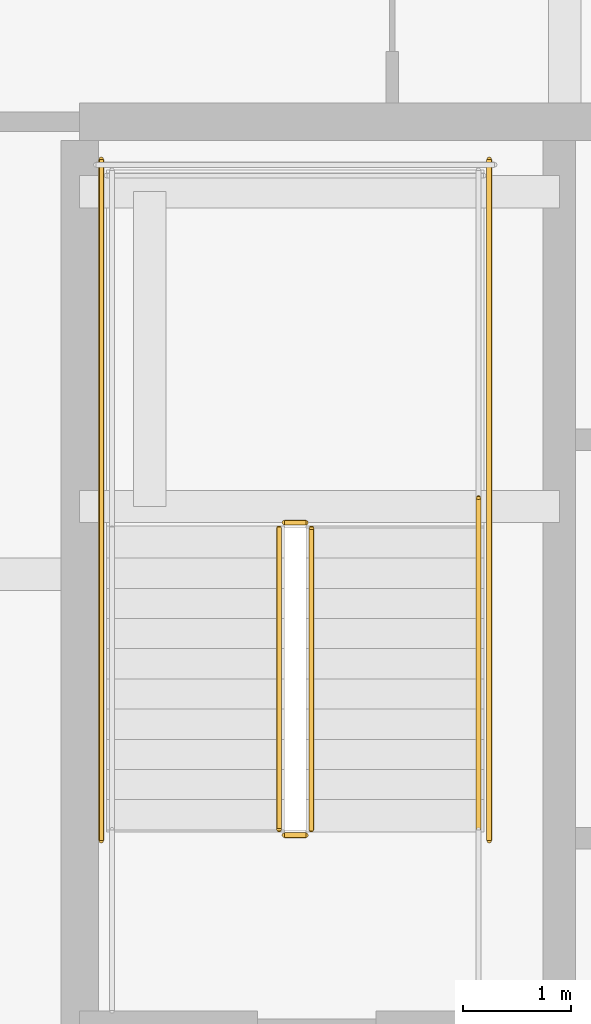
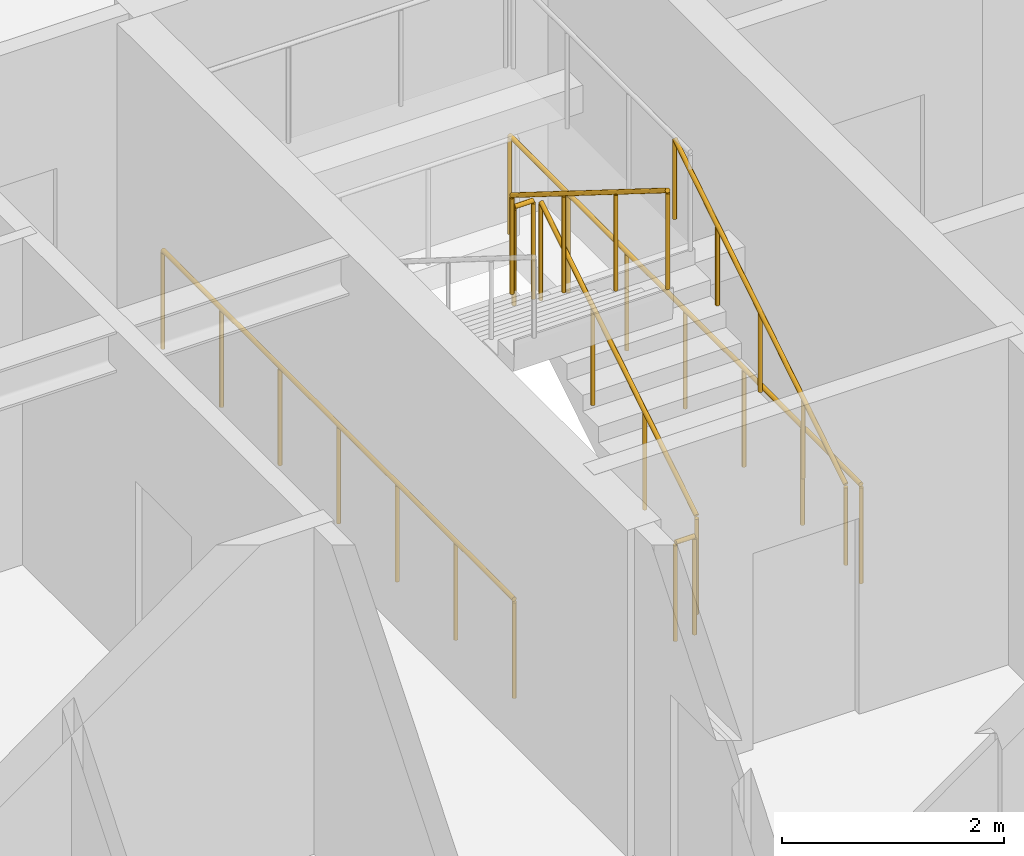
# One storey, part 35 of 38: 7 railings.
"""IFC4 building model written with IfcOpenShell, lengths in metres."""

from ifc_helpers import new_model, si_unit, direction, frame, origin, origin_2d, place, context, subcontext, project, spatial, circle, extrude, material, type_object, element, save


model = new_model("IFC4")

# Units and contexts
model_context = context("Model", 3, precision=1e-05, world=origin(), true_north=direction((0.0, 1.0)))
body_context = subcontext(model_context, "Body", "Model", "MODEL_VIEW")
ifc_project = project(units=[si_unit("LENGTHUNIT", "METRE"), si_unit("AREAUNIT", "SQUARE_METRE"), si_unit("VOLUMEUNIT", "CUBIC_METRE"), si_unit("PLANEANGLEUNIT", "RADIAN"), si_unit("MASSUNIT", "GRAM", prefix="KILO")], contexts=[model_context])

# Site, building, storey
site_placement = place(None, origin())
site = spatial("IfcSite", under=ifc_project, at=site_placement, CompositionType="ELEMENT")
building_placement = place(site_placement, origin())
building = spatial("IfcBuilding", under=site, at=building_placement, Name="Serunith Strait Residences", CompositionType="ELEMENT")
storey_placement = place(building_placement, frame((0.0, 0.0, 245.10009765625)))
storey = spatial("IfcBuildingStorey", under=building, at=storey_placement, Name="L61", CompositionType="ELEMENT", Elevation=245.10009765625)

# Railings
ifc_material = material(Name="Brushed stainless steel 316L", Category="steel")
railing_type_1 = type_object("IfcRailingType", Name="RLG-STAIR-GUARD", PredefinedType="BALUSTRADE", material=ifc_material)
railing_1_placement = place(storey_placement, frame((25.550048828125, 27.030029296875, 0.1748046875)))
element("IfcRailing", 1, at=railing_1_placement, inside=storey, type_object=railing_type_1, Name="L61 ST-1 stair guard 1", PredefinedType="BALUSTRADE", context=body_context, shape_type="SweptSolid", body=[
    extrude(circle(Radius=0.02392578125, at=origin_2d()), frame((0.0, 0.001708984375, 1.0771484375), z_axis=(0.0, 0.848002457836, 0.529992293815), x_axis=(-1.0, 0.0, 0.0)), (0.0, 0.0, 1.0), 3.2978515625),
    extrude(circle(Radius=0.02099609375, at=origin_2d()), origin(), (0.0, 0.0, 1.0), 1.050048828125),
    extrude(circle(Radius=0.02099609375, at=origin_2d()), frame((0.0, 0.933349609375, 0.583251953125)), (0.0, 0.0, 1.0), 1.050048828125),
    extrude(circle(Radius=0.02099609375, at=origin_2d()), frame((0.0, 1.86669921875, 1.166748046875)), (0.0, 0.0, 1.0), 1.050048828125),
    extrude(circle(Radius=0.02099609375, at=origin_2d()), frame((0.0, 2.800048828125, 1.75)), (0.0, 0.0, 1.0), 1.050048828125),
])
railing_2_placement = place(storey_placement, frame((25.5, 29.8798828125, 1.9248046875)))
element("IfcRailing", 2, at=railing_2_placement, inside=storey, type_object=railing_type_1, Name="L61 ST-1 stair guard 2", PredefinedType="BALUSTRADE", context=body_context, shape_type="SweptSolid", body=[
    extrude(circle(Radius=0.02392578125, at=origin_2d()), frame((-0.001953125, 0.0, 1.076171875), z_axis=(-1.0, 0.0, 0.0), x_axis=(0.0, -1.0, 0.0)), (0.0, 0.0, 1.0), 0.196044921875),
    extrude(circle(Radius=0.02099609375, at=origin_2d()), origin(), (0.0, 0.0, 1.0), 1.050048828125),
    extrude(circle(Radius=0.02099609375, at=origin_2d()), frame((-0.199951171875, 0.0, 0.0)), (0.0, 0.0, 1.0), 1.050048828125),
])
railing_3_placement = place(storey_placement, frame((25.25, 29.830078125, 2.099853515625)))
element("IfcRailing", 3, at=railing_3_placement, inside=storey, type_object=railing_type_1, Name="L61 ST-1 stair guard 6", PredefinedType="BALUSTRADE", context=body_context, shape_type="SweptSolid", body=[
    extrude(circle(Radius=0.02392578125, at=origin_2d()), frame((0.0, -0.001708984375, 1.0771484375), z_axis=(0.0, -0.848002457836, 0.529992293815), x_axis=(1.0, 0.0, 0.0)), (0.0, 0.0, 1.0), 3.2978515625),
    extrude(circle(Radius=0.02099609375, at=origin_2d()), origin(), (0.0, 0.0, 1.0), 1.050048828125),
    extrude(circle(Radius=0.02099609375, at=origin_2d()), frame((0.0, -0.933349609375, 0.583251953125)), (0.0, 0.0, 1.0), 1.050048828125),
    extrude(circle(Radius=0.02099609375, at=origin_2d()), frame((0.0, -1.86669921875, 1.166748046875)), (0.0, 0.0, 1.0), 1.050048828125),
    extrude(circle(Radius=0.02099609375, at=origin_2d()), frame((0.0, -2.800048828125, 1.75)), (0.0, 0.0, 1.0), 1.050048828125),
])
railing_4_placement = place(storey_placement, frame((25.5, 26.97998046875, 0.0)))
element("IfcRailing", 4, at=railing_4_placement, inside=storey, type_object=railing_type_1, Name="L61 ST-1 stair guard 7", PredefinedType="BALUSTRADE", context=body_context, shape_type="SweptSolid", body=[
    extrude(circle(Radius=0.02392578125, at=origin_2d()), frame((-0.001953125, 0.0, 1.076171875), z_axis=(-1.0, 0.0, 0.0), x_axis=(0.0, -1.0, 0.0)), (0.0, 0.0, 1.0), 0.196044921875),
    extrude(circle(Radius=0.02099609375, at=origin_2d()), origin(), (0.0, 0.0, 1.0), 1.050048828125),
    extrude(circle(Radius=0.02099609375, at=origin_2d()), frame((-0.199951171875, 0.0, 0.0)), (0.0, 0.0, 1.0), 1.050048828125),
])
for number, where, name in (
    (5, (27.199951171875, 26.929931640625, 0.0), "L61 ST-1 stair guard 10"),
    (6, (23.60009765625, 26.929931640625, 0.0), "L61 ST-1 stair guard 11"),
):
    element("IfcRailing", number, at=place(storey_placement, frame(where)), inside=storey, type_object=railing_type_1, Name=name, PredefinedType="BALUSTRADE", context=body_context, shape_type="SweptSolid", body=[
        extrude(circle(Radius=0.02392578125, at=origin_2d()), frame((0.0, 0.001953125, 1.076171875), z_axis=(0.0, 1.0, 0.0), x_axis=(-1.0, 0.0, 0.0)), (0.0, 0.0, 1.0), 6.316162109375),
        extrude(circle(Radius=0.02099609375, at=origin_2d()), origin(), (0.0, 0.0, 1.0), 1.050048828125),
        extrude(circle(Radius=0.02099609375, at=origin_2d()), frame((0.0, 1.05322265625, 0.0)), (0.0, 0.0, 1.0), 1.050048828125),
        extrude(circle(Radius=0.02099609375, at=origin_2d()), frame((0.0, 2.106689453125, 0.0)), (0.0, 0.0, 1.0), 1.050048828125),
        extrude(circle(Radius=0.02099609375, at=origin_2d()), frame((0.0, 3.16015625, 0.0)), (0.0, 0.0, 1.0), 1.050048828125),
        extrude(circle(Radius=0.02099609375, at=origin_2d()), frame((0.0, 4.21337890625, 0.0)), (0.0, 0.0, 1.0), 1.050048828125),
        extrude(circle(Radius=0.02099609375, at=origin_2d()), frame((0.0, 5.2666015625, 0.0)), (0.0, 0.0, 1.0), 1.050048828125),
        extrude(circle(Radius=0.02099609375, at=origin_2d()), frame((0.0, 6.320068359375, 0.0)), (0.0, 0.0, 1.0), 1.050048828125),
    ])
railing_type_2 = type_object("IfcRailingType", Name="RLG-STAIR-HR", PredefinedType="HANDRAIL", material=ifc_material)
railing_5_placement = place(storey_placement, frame((27.10009765625, 27.030029296875, 0.1748046875)))
element("IfcRailing", 7, at=railing_5_placement, inside=storey, type_object=railing_type_2, Name="L61 ST-1 stair handrail 1", PredefinedType="HANDRAIL", context=body_context, shape_type="SweptSolid", body=[
    extrude(circle(Radius=0.02392578125, at=origin_2d()), frame((0.0, 0.001708984375, 0.876953125), z_axis=(0.0, 0.847363772988, 0.531012839984), x_axis=(-1.0, 0.0, 0.0)), (0.0, 0.0, 1.0), 3.630859375),
    extrude(circle(Radius=0.02099609375, at=origin_2d()), origin(), (0.0, 0.0, 1.0), 0.849853515625),
    extrude(circle(Radius=0.02099609375, at=origin_2d()), frame((0.0, 0.77001953125, 0.482421875)), (0.0, 0.0, 1.0), 0.849853515625),
    extrude(circle(Radius=0.02099609375, at=origin_2d()), frame((0.0, 1.5400390625, 0.965087890625)), (0.0, 0.0, 1.0), 0.849853515625),
    extrude(circle(Radius=0.02099609375, at=origin_2d()), frame((0.0, 2.31005859375, 1.44775390625)), (0.0, 0.0, 1.0), 0.849853515625),
    extrude(circle(Radius=0.02099609375, at=origin_2d()), frame((0.0, 3.080078125, 1.93017578125)), (0.0, 0.0, 1.0), 0.849853515625),
])

save(model, "model.ifc")
